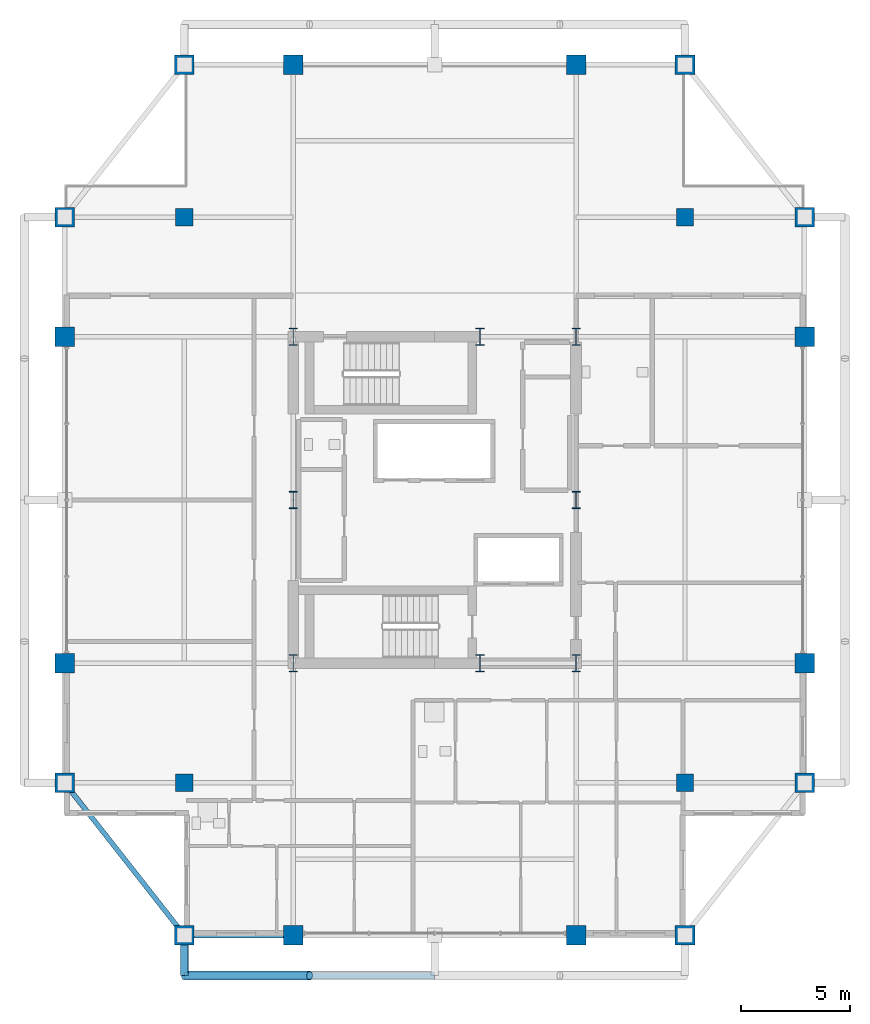
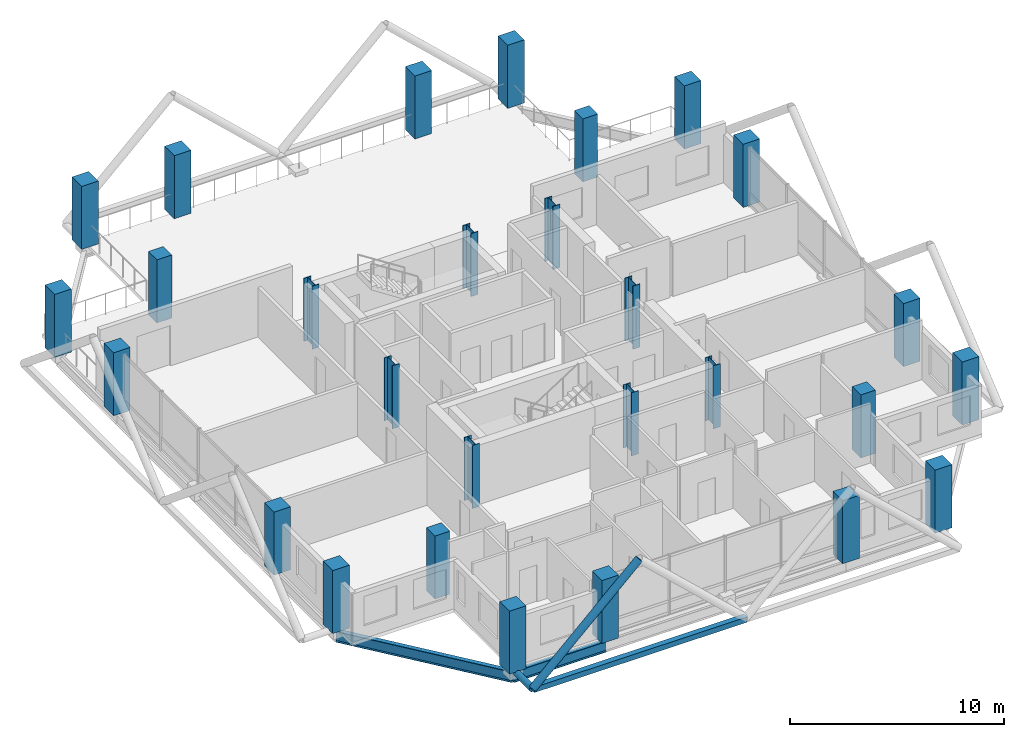
# One storey, part 1 of 21: 28 columns, 3 members, 2 beams.
"""IFC4 building model written with IfcOpenShell, lengths in metres."""

from ifc_helpers import new_model, si_unit, direction, frame, origin, origin_2d, place, context, subcontext, project, spatial, rectangle, hollow_rectangle, hollow_circle, i_section, extrude, material, material_profile, profile_set, type_object, element, save


model = new_model("IFC4")

# Units and contexts
model_context = context("Model", 3, precision=1e-05, world=origin(), true_north=direction((0.0, 1.0)))
body_context = subcontext(model_context, "Body", "Model", "MODEL_VIEW")
ifc_project = project(units=[si_unit("LENGTHUNIT", "METRE"), si_unit("AREAUNIT", "SQUARE_METRE"), si_unit("VOLUMEUNIT", "CUBIC_METRE"), si_unit("PLANEANGLEUNIT", "RADIAN"), si_unit("MASSUNIT", "GRAM", prefix="KILO")], contexts=[model_context])

# Site, building, storey
site_placement = place(None, origin())
site = spatial("IfcSite", under=ifc_project, at=site_placement, CompositionType="ELEMENT")
building_placement = place(site_placement, origin())
building = spatial("IfcBuilding", under=site, at=building_placement, Name="Barlavira Tower and Art Museum", CompositionType="ELEMENT")
storey_placement = place(building_placement, frame((0.0, 0.0, 261.89990234375)))
storey = spatial("IfcBuildingStorey", under=building, at=storey_placement, Name="L68", CompositionType="ELEMENT", Elevation=261.89990234375)

# Columns
ifc_material_1 = material(Name="Steel S355", Category="steel")
ifc_material_profile_1 = material_profile(ifc_material_1, i_section(OverallWidth=0.382080078125, OverallDepth=0.785888671875, WebThickness=0.02001953125, FlangeThickness=0.032958984375, at=origin_2d()), Name="W760x314.0")
ifc_profile_set_1 = profile_set([ifc_material_profile_1], Name="Steel S355")
column_type_1 = type_object("IfcColumnType", Name="Core Composite Column W760x314 Steel S355", PredefinedType="COLUMN", material=ifc_profile_set_1)
for number, where, z_axis, x_axis, name in (
    (1, (-6.5, -7.5, 0.0), (0.0, 0.0, 1.0), (1.0, 0.0, 0.0), "L68 Column CC-L68-C1"),
    (2, (2.080078125, -7.5, 0.0), (0.0, 0.0, 1.0), (1.0, 0.0, 0.0), "L68 Column CC-L68-C2"),
    (3, (6.5, -7.5, 0.0), (0.0, 0.0, 1.0), (1.0, 0.0, 0.0), "L68 Column CC-L68-C3"),
    (4, (-6.5, 0.0, 0.0), (0.0, 0.0, 1.0), (1.0, 0.0, 0.0), "L68 Column CC-L68-C4"),
    (5, (6.5, 0.0, 0.0), (0.0, 0.0, 1.0), (1.0, 0.0, 0.0), "L68 Column CC-L68-C5"),
    (6, (-6.5, 7.5, 0.0), (0.0, 0.0, 1.0), (1.0, 0.0, 0.0), "L68 Column CC-L68-C6"),
    (7, (2.080078125, 7.5, 0.0), (0.0, 0.0, 1.0), (1.0, 0.0, 0.0), "L68 Column CC-L68-C7"),
    (8, (6.5, 7.5, 0.0), (0.0, 0.0, 1.0), (1.0, 0.0, 0.0), "L68 Column CC-L68-C8"),
):
    element("IfcColumn", number, at=place(storey_placement, frame(where, z_axis=z_axis, x_axis=x_axis)), inside=storey, type_object=column_type_1, Name=name, PredefinedType="COLUMN", context=body_context, shape_type="SweptSolid", body=[
        extrude(i_section(OverallWidth=0.382080078125, OverallDepth=0.785888671875, WebThickness=0.02001953125, FlangeThickness=0.032958984375, at=origin_2d()), origin(), (0.0, 0.0, 1.0), 3.60009765625),
    ])
ifc_material_2 = material(Name="Concrete C50", Category="concrete")
ifc_material_profile_2 = material_profile(ifc_material_2, rectangle(XDim=0.89990234375, YDim=0.89990234375, at=origin_2d()), Name="RC-COL 900x900")
ifc_profile_set_2 = profile_set([ifc_material_profile_2], Name="Concrete C50")
column_type_2 = type_object("IfcColumnType", Name="Perimeter Mega Column 900x900 Concrete C50", PredefinedType="USERDEFINED", material=ifc_profile_set_2)
for number, where, z_axis, x_axis, name in (
    (9, (-11.5, -20.0, 0.0), (0.0, 0.0, 1.0), (1.0, 0.0, 0.0), "L68 Column MC-L68-M01"),
    (10, (-6.5, -20.0, 0.0), (0.0, 0.0, 1.0), (1.0, 0.0, 0.0), "L68 Column MC-L68-M02"),
    (11, (6.5, -20.0, 0.0), (0.0, 0.0, 1.0), (1.0, 0.0, 0.0), "L68 Column MC-L68-M03"),
    (12, (11.5, -20.0, 0.0), (0.0, 0.0, 1.0), (1.0, 0.0, 0.0), "L68 Column MC-L68-M04"),
    (13, (17.0, -13.0, 0.0), (0.0, 0.0, 1.0), (1.0, 0.0, 0.0), "L68 Column MC-L68-M05"),
    (14, (17.0, -7.5, 0.0), (0.0, 0.0, 1.0), (1.0, 0.0, 0.0), "L68 Column MC-L68-M06"),
    (15, (17.0, 7.5, 0.0), (0.0, 0.0, 1.0), (1.0, 0.0, 0.0), "L68 Column MC-L68-M07"),
    (16, (17.0, 13.0, 0.0), (0.0, 0.0, 1.0), (1.0, 0.0, 0.0), "L68 Column MC-L68-M08"),
    (17, (11.5, 20.0, 0.0), (0.0, 0.0, 1.0), (1.0, 0.0, 0.0), "L68 Column MC-L68-M09"),
    (18, (6.5, 20.0, 0.0), (0.0, 0.0, 1.0), (1.0, 0.0, 0.0), "L68 Column MC-L68-M10"),
    (19, (-6.5, 20.0, 0.0), (0.0, 0.0, 1.0), (1.0, 0.0, 0.0), "L68 Column MC-L68-M11"),
    (20, (-11.5, 20.0, 0.0), (0.0, 0.0, 1.0), (1.0, 0.0, 0.0), "L68 Column MC-L68-M12"),
    (21, (-17.0, 13.0, 0.0), (0.0, 0.0, 1.0), (1.0, 0.0, 0.0), "L68 Column MC-L68-M13"),
    (22, (-17.0, 7.5, 0.0), (0.0, 0.0, 1.0), (1.0, 0.0, 0.0), "L68 Column MC-L68-M14"),
    (23, (-17.0, -7.5, 0.0), (0.0, 0.0, 1.0), (1.0, 0.0, 0.0), "L68 Column MC-L68-M15"),
    (24, (-17.0, -13.0, 0.0), (0.0, 0.0, 1.0), (1.0, 0.0, 0.0), "L68 Column MC-L68-M16"),
):
    element("IfcColumn", number, at=place(storey_placement, frame(where, z_axis=z_axis, x_axis=x_axis)), inside=storey, type_object=column_type_2, Name=name, ObjectType="MEGA COLUMN", PredefinedType="USERDEFINED", context=body_context, shape_type="SweptSolid", body=[
        extrude(rectangle(XDim=0.89990234375, YDim=0.89990234375, at=origin_2d()), origin(), (0.0, 0.0, 1.0), 3.60009765625),
    ])
ifc_material_profile_3 = material_profile(ifc_material_2, rectangle(XDim=0.800048828125, YDim=0.800048828125, at=origin_2d()), Name="RC-COL 800x800")
ifc_profile_set_3 = profile_set([ifc_material_profile_3], Name="Concrete C50")
column_type_3 = type_object("IfcColumnType", Name="Podium Frame Column 800x800 Concrete C50", PredefinedType="COLUMN", material=ifc_profile_set_3)
for number, where, z_axis, x_axis, name in (
    (25, (-11.5, -13.0, 0.0), (0.0, 0.0, 1.0), (1.0, 0.0, 0.0), "L68 Column CI-L68-I1"),
    (26, (11.5, -13.0, 0.0), (0.0, 0.0, 1.0), (1.0, 0.0, 0.0), "L68 Column CI-L68-I2"),
    (27, (-11.5, 13.0, 0.0), (0.0, 0.0, 1.0), (1.0, 0.0, 0.0), "L68 Column CI-L68-I3"),
    (28, (11.5, 13.0, 0.0), (0.0, 0.0, 1.0), (1.0, 0.0, 0.0), "L68 Column CI-L68-I4"),
):
    element("IfcColumn", number, at=place(storey_placement, frame(where, z_axis=z_axis, x_axis=x_axis)), inside=storey, type_object=column_type_3, Name=name, PredefinedType="COLUMN", context=body_context, shape_type="SweptSolid", body=[
        extrude(rectangle(XDim=0.800048828125, YDim=0.800048828125, at=origin_2d()), origin(), (0.0, 0.0, 1.0), 3.60009765625),
    ])

# Members
ifc_material_profile_4 = material_profile(ifc_material_1, hollow_circle(Radius=0.203125, WallThickness=0.01611328125, at=origin_2d()), Name="CHS 406.4x16.0")
ifc_profile_set_4 = profile_set([ifc_material_profile_4], Name="Steel S355")
member_type_1 = type_object("IfcMemberType", Name="Pale-Metal Exoskeleton Diagrid Tube CHS 406x16 Steel S355", PredefinedType="BRACE", material=ifc_profile_set_4)
member_1_placement = place(storey_placement, frame((-11.5, -21.85009765625, -0.119873046875), z_axis=(0.728950095515, 0.0, 0.684566839869), x_axis=(0.0, 1.0, 0.0)))
element("IfcMember", 29, at=member_1_placement, inside=storey, type_object=member_type_1, Name="L68 Exoskeleton Diagrid Tube S", PredefinedType="BRACE", context=body_context, shape_type="SweptSolid", body=[
    extrude(hollow_circle(Radius=0.203125, WallThickness=0.01611328125, at=origin_2d()), origin(), (0.0, 0.0, 1.0), 7.887939453125),
])
ifc_material_profile_5 = material_profile(ifc_material_1, hollow_circle(Radius=0.177734375, WallThickness=0.01611328125, at=origin_2d()), Name="CHS 355.6x16.0")
ifc_profile_set_5 = profile_set([ifc_material_profile_5], Name="Steel S355")
member_type_2 = type_object("IfcMemberType", Name="Pale-Metal Exoskeleton Tie Strut CHS 356x16 Steel S355", PredefinedType="STRUT", material=ifc_profile_set_5)
member_2_placement = place(storey_placement, frame((-11.5, -21.85009765625, -0.119873046875), z_axis=(0.0, 1.0, 0.0), x_axis=(-1.0, 0.0, 0.0)))
element("IfcMember", 30, at=member_2_placement, inside=storey, type_object=member_type_2, Name="L68 Exoskeleton Tie Strut S1", PredefinedType="STRUT", context=body_context, shape_type="SweptSolid", body=[
    extrude(hollow_circle(Radius=0.177734375, WallThickness=0.01611328125, at=origin_2d()), origin(), (0.0, 0.0, 1.0), 1.85009765625),
])
ifc_material_profile_6 = material_profile(ifc_material_1, hollow_rectangle(XDim=0.300048828125, YDim=0.300048828125, WallThickness=0.01611328125, at=origin_2d()), Name="SHS 300x300x16.0")
ifc_profile_set_6 = profile_set([ifc_material_profile_6], Name="Steel S355")
member_type_3 = type_object("IfcMemberType", Name="Pale-Metal Upper Ring Strut SHS 300x300x16 Steel S355", PredefinedType="STRUT", material=ifc_profile_set_6)
member_3_placement = place(storey_placement, frame((-11.5, -21.85009765625, -0.119873046875), z_axis=(1.0, 0.0, 0.0), x_axis=(0.0, 1.0, 0.0)))
element("IfcMember", 31, at=member_3_placement, inside=storey, type_object=member_type_3, Name="L68 Exoskeleton Ring Strut S", PredefinedType="STRUT", context=body_context, shape_type="SweptSolid", body=[
    extrude(hollow_rectangle(XDim=0.300048828125, YDim=0.300048828125, WallThickness=0.01611328125, at=origin_2d()), origin(), (0.0, 0.0, 1.0), 11.5),
])

# Beams
ifc_material_profile_7 = material_profile(ifc_material_1, i_section(OverallWidth=0.22998046875, OverallDepth=0.616943359375, WebThickness=0.01318359375, FlangeThickness=0.022216796875, at=origin_2d()), Name="W610x140.0")
ifc_profile_set_7 = profile_set([ifc_material_profile_7], Name="Steel S355")
beam_type = type_object("IfcBeamType", Name="Upper Shaft Spandrel Edge Beam W610x140 Steel S355", PredefinedType="SPANDREL", material=ifc_profile_set_7)
beam_1_placement = place(storey_placement, frame((-11.5, -20.0, -0.5283203125), z_axis=(1.0, 0.0, 0.0), x_axis=(0.0, 1.0, 0.0)))
element("IfcBeam", 32, at=beam_1_placement, inside=storey, type_object=beam_type, Name="L68 Spandrel 1", PredefinedType="SPANDREL", context=body_context, shape_type="SweptSolid", body=[
    extrude(i_section(OverallWidth=0.22998046875, OverallDepth=0.616943359375, WebThickness=0.01318359375, FlangeThickness=0.022216796875, at=origin_2d()), origin(), (0.0, 0.0, 1.0), 5.0),
])
beam_2_placement = place(storey_placement, frame((-17.0, -13.0, -0.5283203125), z_axis=(0.617821551932, -0.786318338822, 0.0), x_axis=(0.786318338822, 0.617821551932, 0.0)))
element("IfcBeam", 33, at=beam_2_placement, inside=storey, type_object=beam_type, Name="L68 Spandrel 16", PredefinedType="SPANDREL", context=body_context, shape_type="SweptSolid", body=[
    extrude(i_section(OverallWidth=0.22998046875, OverallDepth=0.616943359375, WebThickness=0.01318359375, FlangeThickness=0.022216796875, at=origin_2d()), origin(), (0.0, 0.0, 1.0), 8.90234375),
])

save(model, "model.ifc")
